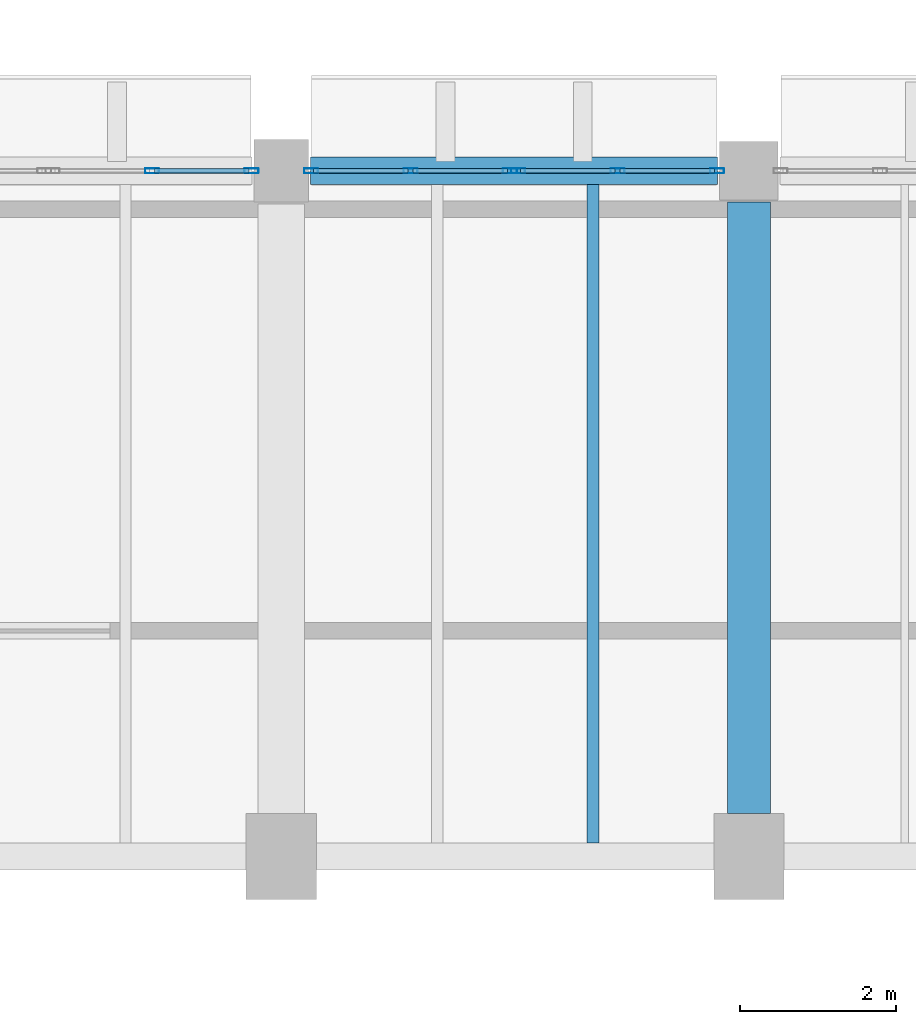
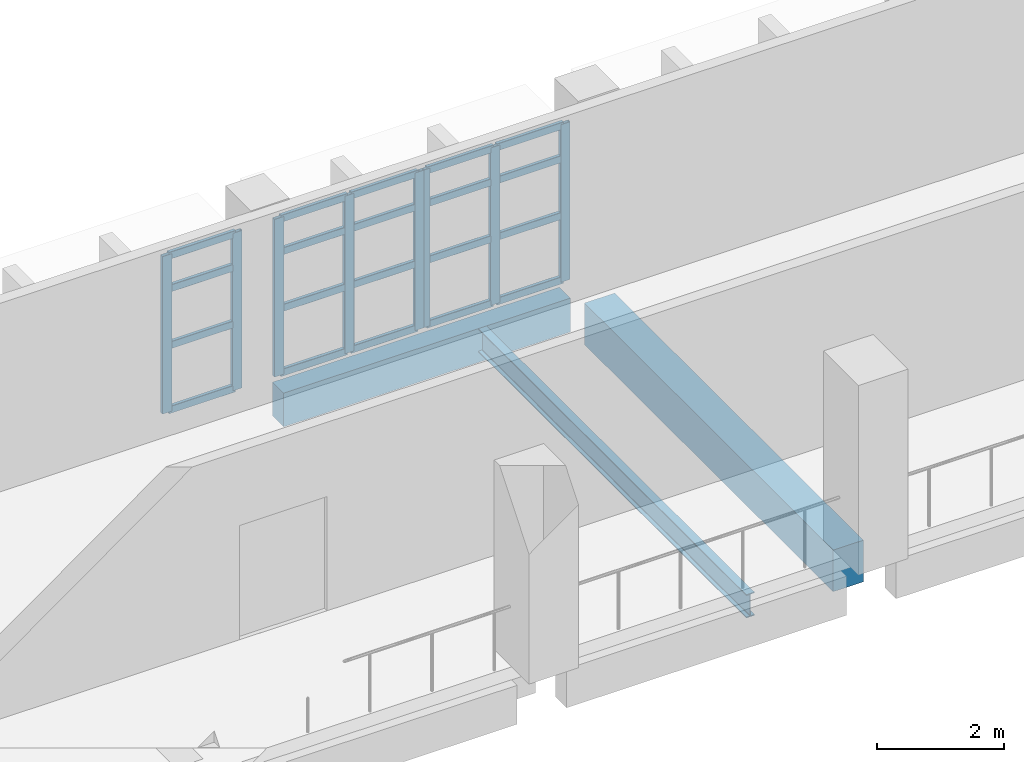
# One storey, part 39 of 80: 28 members, 3 beams, 3 elements without a shape of their own.
"""IFC4 building model written with IfcOpenShell, lengths in metres."""

from ifc_helpers import new_model, si_unit, direction, frame, origin, origin_2d, place, context, subcontext, project, spatial, rectangle, hollow_rectangle, i_section, extrude, material, material_profile, profile_set, type_object, element, aggregate, save


model = new_model("IFC4")

# Units and contexts
model_context = context("Model", 3, precision=1e-05, world=origin(), true_north=direction((0.0, 1.0)))
body_context = subcontext(model_context, "Body", "Model", "MODEL_VIEW")
ifc_project = project(units=[si_unit("LENGTHUNIT", "METRE"), si_unit("AREAUNIT", "SQUARE_METRE"), si_unit("VOLUMEUNIT", "CUBIC_METRE"), si_unit("PLANEANGLEUNIT", "RADIAN"), si_unit("MASSUNIT", "GRAM", prefix="KILO")], contexts=[model_context])

# Site, building, storey
site_placement = place(None, origin())
site = spatial("IfcSite", under=ifc_project, at=site_placement, CompositionType="ELEMENT")
building_placement = place(site_placement, origin())
building = spatial("IfcBuilding", under=site, at=building_placement, Name="Varnakota Cinema and Media Centre", CompositionType="ELEMENT")
storey_placement = place(building_placement, frame((0.0, 0.0, 4.5)))
storey = spatial("IfcBuildingStorey", under=building, at=storey_placement, Name="L01", CompositionType="ELEMENT", Elevation=4.5)

# Beams
ifc_material_1 = material(Name="Concrete M35", Category="concrete")
ifc_material_profile_1 = material_profile(ifc_material_1, rectangle(XDim=0.550048828125, YDim=0.800048828125, at=origin_2d()), Name="RCB 550x800")
ifc_profile_set_1 = profile_set([ifc_material_profile_1], Name="Concrete M35")
beam_type_1 = type_object("IfcBeamType", Name="BM-RC-550x800", PredefinedType="BEAM", material=ifc_profile_set_1)
beam_1_placement = place(storey_placement, frame((111.0, 35.75, -0.64990234375), z_axis=(0.0, 1.0, 0.0), x_axis=(-1.0, 0.0, 0.0)))
element("IfcBeam", 1, at=beam_1_placement, inside=storey, type_object=beam_type_1, Name="L01 girder R/5-6", PredefinedType="BEAM", context=body_context, shape_type="SweptSolid", body=[
    extrude(rectangle(XDim=0.550048828125, YDim=0.800048828125, at=origin_2d()), origin(), (0.0, 0.0, 1.0), 7.85009765625),
])
ifc_material_2 = material(Name="Concrete M40", Category="concrete")
ifc_material_profile_2 = material_profile(ifc_material_2, rectangle(XDim=0.35009765625, YDim=0.64990234375, at=origin_2d()), Name="RCB 350x650")
ifc_profile_set_2 = profile_set([ifc_material_profile_2], Name="Concrete M40")
beam_type_2 = type_object("IfcBeamType", Name="BM-SP-350x650", PredefinedType="SPANDREL", material=ifc_profile_set_2)
beam_2_placement = place(storey_placement, frame((105.375, 44.0, -0.574951171875), z_axis=(1.0, 0.0, 0.0), x_axis=(0.0, 1.0, 0.0)))
element("IfcBeam", 2, at=beam_2_placement, inside=storey, type_object=beam_type_2, Name="L01 girder Q-R/6", PredefinedType="SPANDREL", context=body_context, shape_type="SweptSolid", body=[
    extrude(rectangle(XDim=0.35009765625, YDim=0.64990234375, at=origin_2d()), origin(), (0.0, 0.0, 1.0), 5.22509765625),
])
ifc_material_3 = material(Name="Structural steel Grade 350 (E350)", Category="steel")
ifc_material_profile_3 = material_profile(ifc_material_3, i_section(OverallWidth=0.14990234375, OverallDepth=0.449951171875, WebThickness=0.009521484375, FlangeThickness=0.017333984375, FilletRadius=0.014892578125, at=origin_2d()), Name="ISMB 450")
ifc_profile_set_3 = profile_set([ifc_material_profile_3], Name="Structural steel Grade 350 (E350)")
beam_type_3 = type_object("IfcBeamType", Name="BM-ST-ISMB450", PredefinedType="BEAM", material=ifc_profile_set_3)
beam_3_placement = place(storey_placement, frame((109.0, 35.375, -0.47509765625), z_axis=(0.0, 1.0, 0.0), x_axis=(-1.0, 0.0, 0.0)))
element("IfcBeam", 3, at=beam_3_placement, inside=storey, type_object=beam_type_3, Name="L01 steel joist Q-R/5-6 #2", PredefinedType="BEAM", context=body_context, shape_type="SweptSolid", body=[
    extrude(i_section(OverallWidth=0.14990234375, OverallDepth=0.449951171875, WebThickness=0.009521484375, FlangeThickness=0.017333984375, FilletRadius=0.014892578125, at=origin_2d()), origin(), (0.0, 0.0, 1.0), 8.449951171875),
])

# Curtain wall, members
ifc_material_4 = material(Name="Thermally broken anodised aluminium AW-6063", Category="aluminium")
curtain_wall_type = type_object("IfcCurtainWallType", Name="CW-STD-262x304", PredefinedType="USERDEFINED", material=ifc_material_4)
curtain_wall_1_placement = place(storey_placement, origin())
curtain_wall_1 = element("IfcCurtainWall", 4, at=curtain_wall_1_placement, inside=storey, type_object=curtain_wall_type, Name="L01 curtain wall CW-L01-V1-N-05-2", ObjectType="UNITISED CURTAIN WALL", PredefinedType="USERDEFINED")
ifc_material_5 = material(Name="Thermally broken anodised aluminium AW-6063", Category="aluminium")
ifc_material_profile_4 = material_profile(ifc_material_5, hollow_rectangle(XDim=0.06494140625, YDim=0.179931640625, WallThickness=0.00390625, InnerFilletRadius=0.00390625, OuterFilletRadius=0.008056640625, at=origin_2d()), Name="AL-MULLION 180x65x4")
ifc_profile_set_4 = profile_set([ifc_material_profile_4], Name="Thermally broken anodised aluminium AW-6063")
member_type_1 = type_object("IfcMemberType", Name="CWM-AL-180", PredefinedType="MULLION", material=ifc_profile_set_4)
member_1_placement = place(storey_placement, frame((103.34130859375, 44.0, 0.0), z_axis=(0.0, 0.0, 1.0), x_axis=(0.0, 1.0, 0.0)))
member_1 = element("IfcMember", 5, at=member_1_placement, type_object=member_type_1, Name="CW17 mullion 2", PredefinedType="MULLION", context=body_context, shape_type="SweptSolid", body=[
    extrude(hollow_rectangle(XDim=0.06494140625, YDim=0.179931640625, WallThickness=0.00390625, InnerFilletRadius=0.00390625, OuterFilletRadius=0.008056640625, at=origin_2d()), origin(), (0.0, 0.0, 1.0), 3.034912109375),
])
member_2_placement = place(storey_placement, frame((104.617431640625, 44.0, 0.0), z_axis=(0.0, 0.0, 1.0), x_axis=(0.0, 1.0, 0.0)))
member_2 = element("IfcMember", 6, at=member_2_placement, type_object=member_type_1, Name="CW17 mullion 3", PredefinedType="MULLION", context=body_context, shape_type="SweptSolid", body=[
    extrude(hollow_rectangle(XDim=0.06494140625, YDim=0.179931640625, WallThickness=0.00390625, InnerFilletRadius=0.00390625, OuterFilletRadius=0.008056640625, at=origin_2d()), origin(), (0.0, 0.0, 1.0), 3.034912109375),
])

curtain_wall_2_placement = place(storey_placement, origin())
curtain_wall_2 = element("IfcCurtainWall", 7, at=curtain_wall_2_placement, inside=storey, type_object=curtain_wall_type, Name="L01 curtain wall CW-L01-V1-N-06-1", ObjectType="UNITISED CURTAIN WALL", PredefinedType="USERDEFINED")
member_3_placement = place(storey_placement, frame((105.382568359375, 44.0, 0.0), z_axis=(0.0, 0.0, 1.0), x_axis=(0.0, 1.0, 0.0)))
member_3 = element("IfcMember", 8, at=member_3_placement, type_object=member_type_1, Name="CW17 mullion 1", PredefinedType="MULLION", context=body_context, shape_type="SweptSolid", body=[
    extrude(hollow_rectangle(XDim=0.06494140625, YDim=0.179931640625, WallThickness=0.00390625, InnerFilletRadius=0.00390625, OuterFilletRadius=0.008056640625, at=origin_2d()), origin(), (0.0, 0.0, 1.0), 3.034912109375),
])
member_4_placement = place(storey_placement, frame((106.65869140625, 44.0, 0.0), z_axis=(0.0, 0.0, 1.0), x_axis=(0.0, 1.0, 0.0)))
member_4 = element("IfcMember", 9, at=member_4_placement, type_object=member_type_1, Name="CW17 mullion 2", PredefinedType="MULLION", context=body_context, shape_type="SweptSolid", body=[
    extrude(hollow_rectangle(XDim=0.06494140625, YDim=0.179931640625, WallThickness=0.00390625, InnerFilletRadius=0.00390625, OuterFilletRadius=0.008056640625, at=origin_2d()), origin(), (0.0, 0.0, 1.0), 3.034912109375),
])
member_5_placement = place(storey_placement, frame((107.93505859375, 44.0, 0.0), z_axis=(0.0, 0.0, 1.0), x_axis=(0.0, 1.0, 0.0)))
member_5 = element("IfcMember", 10, at=member_5_placement, type_object=member_type_1, Name="CW17 mullion 3", PredefinedType="MULLION", context=body_context, shape_type="SweptSolid", body=[
    extrude(hollow_rectangle(XDim=0.06494140625, YDim=0.179931640625, WallThickness=0.00390625, InnerFilletRadius=0.00390625, OuterFilletRadius=0.008056640625, at=origin_2d()), origin(), (0.0, 0.0, 1.0), 3.034912109375),
])

curtain_wall_3_placement = place(storey_placement, origin())
curtain_wall_3 = element("IfcCurtainWall", 11, at=curtain_wall_3_placement, inside=storey, type_object=curtain_wall_type, Name="L01 curtain wall CW-L01-V1-N-06-2", ObjectType="UNITISED CURTAIN WALL", PredefinedType="USERDEFINED")
member_6_placement = place(storey_placement, frame((108.0400390625, 44.0, 0.0), z_axis=(0.0, 0.0, 1.0), x_axis=(0.0, 1.0, 0.0)))
member_6 = element("IfcMember", 12, at=member_6_placement, type_object=member_type_1, Name="CW17 mullion 1", PredefinedType="MULLION", context=body_context, shape_type="SweptSolid", body=[
    extrude(hollow_rectangle(XDim=0.06494140625, YDim=0.179931640625, WallThickness=0.00390625, InnerFilletRadius=0.00390625, OuterFilletRadius=0.008056640625, at=origin_2d()), origin(), (0.0, 0.0, 1.0), 3.034912109375),
])
member_7_placement = place(storey_placement, frame((109.316162109375, 44.0, 0.0), z_axis=(0.0, 0.0, 1.0), x_axis=(0.0, 1.0, 0.0)))
member_7 = element("IfcMember", 13, at=member_7_placement, type_object=member_type_1, Name="CW17 mullion 2", PredefinedType="MULLION", context=body_context, shape_type="SweptSolid", body=[
    extrude(hollow_rectangle(XDim=0.06494140625, YDim=0.179931640625, WallThickness=0.00390625, InnerFilletRadius=0.00390625, OuterFilletRadius=0.008056640625, at=origin_2d()), origin(), (0.0, 0.0, 1.0), 3.034912109375),
])
member_8_placement = place(storey_placement, frame((110.592529296875, 44.0, 0.0), z_axis=(0.0, 0.0, 1.0), x_axis=(0.0, 1.0, 0.0)))
member_8 = element("IfcMember", 14, at=member_8_placement, type_object=member_type_1, Name="CW17 mullion 3", PredefinedType="MULLION", context=body_context, shape_type="SweptSolid", body=[
    extrude(hollow_rectangle(XDim=0.06494140625, YDim=0.179931640625, WallThickness=0.00390625, InnerFilletRadius=0.00390625, OuterFilletRadius=0.008056640625, at=origin_2d()), origin(), (0.0, 0.0, 1.0), 3.034912109375),
])

# Member
ifc_material_6 = material(Name="Thermally broken anodised aluminium AW-6063", Category="aluminium")
ifc_material_profile_5 = material_profile(ifc_material_6, hollow_rectangle(XDim=0.06494140625, YDim=0.139892578125, WallThickness=0.00390625, InnerFilletRadius=0.00390625, OuterFilletRadius=0.008056640625, at=origin_2d()), Name="AL-TRANSOM 140x65x4")
ifc_profile_set_5 = profile_set([ifc_material_profile_5], Name="Thermally broken anodised aluminium AW-6063")
member_type_2 = type_object("IfcMemberType", Name="CWT-AL-140", PredefinedType="USERDEFINED", material=ifc_profile_set_5)
member_9_placement = place(storey_placement, frame((103.373779296875, 44.0, 0.032470703125), z_axis=(1.0, 0.0, 0.0), x_axis=(0.0, 1.0, 0.0)))
member_9 = element("IfcMember", 15, at=member_9_placement, type_object=member_type_2, Name="CW17 transom 2.1", ObjectType="TRANSOM", PredefinedType="USERDEFINED", context=body_context, shape_type="SweptSolid", body=[
    extrude(hollow_rectangle(XDim=0.06494140625, YDim=0.139892578125, WallThickness=0.00390625, InnerFilletRadius=0.00390625, OuterFilletRadius=0.008056640625, at=origin_2d()), origin(), (0.0, 0.0, 1.0), 1.211181640625),
])

member_10_placement = place(storey_placement, frame((103.373779296875, 44.0, 1.274658203125), z_axis=(1.0, 0.0, 0.0), x_axis=(0.0, 1.0, 0.0)))
member_10 = element("IfcMember", 16, at=member_10_placement, type_object=member_type_2, Name="CW17 transom 2.2", ObjectType="TRANSOM", PredefinedType="USERDEFINED", context=body_context, shape_type="SweptSolid", body=[
    extrude(hollow_rectangle(XDim=0.06494140625, YDim=0.139892578125, WallThickness=0.00390625, InnerFilletRadius=0.00390625, OuterFilletRadius=0.008056640625, at=origin_2d()), origin(), (0.0, 0.0, 1.0), 1.211181640625),
])

member_11_placement = place(storey_placement, frame((103.373779296875, 44.0, 2.3671875), z_axis=(1.0, 0.0, 0.0), x_axis=(0.0, 1.0, 0.0)))
member_11 = element("IfcMember", 17, at=member_11_placement, type_object=member_type_2, Name="CW17 transom 2.3", ObjectType="TRANSOM", PredefinedType="USERDEFINED", context=body_context, shape_type="SweptSolid", body=[
    extrude(hollow_rectangle(XDim=0.06494140625, YDim=0.139892578125, WallThickness=0.00390625, InnerFilletRadius=0.00390625, OuterFilletRadius=0.008056640625, at=origin_2d()), origin(), (0.0, 0.0, 1.0), 1.211181640625),
])

member_12_placement = place(storey_placement, frame((103.373779296875, 44.0, 3.00244140625), z_axis=(1.0, 0.0, 0.0), x_axis=(0.0, 1.0, 0.0)))
member_12 = element("IfcMember", 18, at=member_12_placement, type_object=member_type_2, Name="CW17 transom 2.4", ObjectType="TRANSOM", PredefinedType="USERDEFINED", context=body_context, shape_type="SweptSolid", body=[
    extrude(hollow_rectangle(XDim=0.06494140625, YDim=0.139892578125, WallThickness=0.00390625, InnerFilletRadius=0.00390625, OuterFilletRadius=0.008056640625, at=origin_2d()), origin(), (0.0, 0.0, 1.0), 1.211181640625),
])

aggregate(curtain_wall_1, [member_1, member_2, member_9, member_10, member_11, member_12])

member_13_placement = place(storey_placement, frame((105.4150390625, 44.0, 0.032470703125), z_axis=(1.0, 0.0, 0.0), x_axis=(0.0, 1.0, 0.0)))
member_13 = element("IfcMember", 19, at=member_13_placement, type_object=member_type_2, Name="CW17 transom 1.1", ObjectType="TRANSOM", PredefinedType="USERDEFINED", context=body_context, shape_type="SweptSolid", body=[
    extrude(hollow_rectangle(XDim=0.06494140625, YDim=0.139892578125, WallThickness=0.00390625, InnerFilletRadius=0.00390625, OuterFilletRadius=0.008056640625, at=origin_2d()), origin(), (0.0, 0.0, 1.0), 1.211181640625),
])

member_14_placement = place(storey_placement, frame((105.4150390625, 44.0, 1.274658203125), z_axis=(1.0, 0.0, 0.0), x_axis=(0.0, 1.0, 0.0)))
member_14 = element("IfcMember", 20, at=member_14_placement, type_object=member_type_2, Name="CW17 transom 1.2", ObjectType="TRANSOM", PredefinedType="USERDEFINED", context=body_context, shape_type="SweptSolid", body=[
    extrude(hollow_rectangle(XDim=0.06494140625, YDim=0.139892578125, WallThickness=0.00390625, InnerFilletRadius=0.00390625, OuterFilletRadius=0.008056640625, at=origin_2d()), origin(), (0.0, 0.0, 1.0), 1.211181640625),
])

member_15_placement = place(storey_placement, frame((105.4150390625, 44.0, 2.3671875), z_axis=(1.0, 0.0, 0.0), x_axis=(0.0, 1.0, 0.0)))
member_15 = element("IfcMember", 21, at=member_15_placement, type_object=member_type_2, Name="CW17 transom 1.3", ObjectType="TRANSOM", PredefinedType="USERDEFINED", context=body_context, shape_type="SweptSolid", body=[
    extrude(hollow_rectangle(XDim=0.06494140625, YDim=0.139892578125, WallThickness=0.00390625, InnerFilletRadius=0.00390625, OuterFilletRadius=0.008056640625, at=origin_2d()), origin(), (0.0, 0.0, 1.0), 1.211181640625),
])

member_16_placement = place(storey_placement, frame((105.4150390625, 44.0, 3.00244140625), z_axis=(1.0, 0.0, 0.0), x_axis=(0.0, 1.0, 0.0)))
member_16 = element("IfcMember", 22, at=member_16_placement, type_object=member_type_2, Name="CW17 transom 1.4", ObjectType="TRANSOM", PredefinedType="USERDEFINED", context=body_context, shape_type="SweptSolid", body=[
    extrude(hollow_rectangle(XDim=0.06494140625, YDim=0.139892578125, WallThickness=0.00390625, InnerFilletRadius=0.00390625, OuterFilletRadius=0.008056640625, at=origin_2d()), origin(), (0.0, 0.0, 1.0), 1.211181640625),
])

member_17_placement = place(storey_placement, frame((106.691162109375, 44.0, 0.032470703125), z_axis=(1.0, 0.0, 0.0), x_axis=(0.0, 1.0, 0.0)))
member_17 = element("IfcMember", 23, at=member_17_placement, type_object=member_type_2, Name="CW17 transom 2.1", ObjectType="TRANSOM", PredefinedType="USERDEFINED", context=body_context, shape_type="SweptSolid", body=[
    extrude(hollow_rectangle(XDim=0.06494140625, YDim=0.139892578125, WallThickness=0.00390625, InnerFilletRadius=0.00390625, OuterFilletRadius=0.008056640625, at=origin_2d()), origin(), (0.0, 0.0, 1.0), 1.21142578125),
])

member_18_placement = place(storey_placement, frame((106.691162109375, 44.0, 1.274658203125), z_axis=(1.0, 0.0, 0.0), x_axis=(0.0, 1.0, 0.0)))
member_18 = element("IfcMember", 24, at=member_18_placement, type_object=member_type_2, Name="CW17 transom 2.2", ObjectType="TRANSOM", PredefinedType="USERDEFINED", context=body_context, shape_type="SweptSolid", body=[
    extrude(hollow_rectangle(XDim=0.06494140625, YDim=0.139892578125, WallThickness=0.00390625, InnerFilletRadius=0.00390625, OuterFilletRadius=0.008056640625, at=origin_2d()), origin(), (0.0, 0.0, 1.0), 1.21142578125),
])

member_19_placement = place(storey_placement, frame((106.691162109375, 44.0, 2.3671875), z_axis=(1.0, 0.0, 0.0), x_axis=(0.0, 1.0, 0.0)))
member_19 = element("IfcMember", 25, at=member_19_placement, type_object=member_type_2, Name="CW17 transom 2.3", ObjectType="TRANSOM", PredefinedType="USERDEFINED", context=body_context, shape_type="SweptSolid", body=[
    extrude(hollow_rectangle(XDim=0.06494140625, YDim=0.139892578125, WallThickness=0.00390625, InnerFilletRadius=0.00390625, OuterFilletRadius=0.008056640625, at=origin_2d()), origin(), (0.0, 0.0, 1.0), 1.21142578125),
])

member_20_placement = place(storey_placement, frame((106.691162109375, 44.0, 3.00244140625), z_axis=(1.0, 0.0, 0.0), x_axis=(0.0, 1.0, 0.0)))
member_20 = element("IfcMember", 26, at=member_20_placement, type_object=member_type_2, Name="CW17 transom 2.4", ObjectType="TRANSOM", PredefinedType="USERDEFINED", context=body_context, shape_type="SweptSolid", body=[
    extrude(hollow_rectangle(XDim=0.06494140625, YDim=0.139892578125, WallThickness=0.00390625, InnerFilletRadius=0.00390625, OuterFilletRadius=0.008056640625, at=origin_2d()), origin(), (0.0, 0.0, 1.0), 1.21142578125),
])

aggregate(curtain_wall_2, [member_3, member_4, member_5, member_13, member_14, member_15, member_16, member_17, member_18, member_19, member_20])

member_21_placement = place(storey_placement, frame((108.072509765625, 44.0, 0.032470703125), z_axis=(1.0, 0.0, 0.0), x_axis=(0.0, 1.0, 0.0)))
member_21 = element("IfcMember", 27, at=member_21_placement, type_object=member_type_2, Name="CW17 transom 1.1", ObjectType="TRANSOM", PredefinedType="USERDEFINED", context=body_context, shape_type="SweptSolid", body=[
    extrude(hollow_rectangle(XDim=0.06494140625, YDim=0.139892578125, WallThickness=0.00390625, InnerFilletRadius=0.00390625, OuterFilletRadius=0.008056640625, at=origin_2d()), origin(), (0.0, 0.0, 1.0), 1.211181640625),
])

member_22_placement = place(storey_placement, frame((108.072509765625, 44.0, 1.274658203125), z_axis=(1.0, 0.0, 0.0), x_axis=(0.0, 1.0, 0.0)))
member_22 = element("IfcMember", 28, at=member_22_placement, type_object=member_type_2, Name="CW17 transom 1.2", ObjectType="TRANSOM", PredefinedType="USERDEFINED", context=body_context, shape_type="SweptSolid", body=[
    extrude(hollow_rectangle(XDim=0.06494140625, YDim=0.139892578125, WallThickness=0.00390625, InnerFilletRadius=0.00390625, OuterFilletRadius=0.008056640625, at=origin_2d()), origin(), (0.0, 0.0, 1.0), 1.211181640625),
])

member_23_placement = place(storey_placement, frame((108.072509765625, 44.0, 2.3671875), z_axis=(1.0, 0.0, 0.0), x_axis=(0.0, 1.0, 0.0)))
member_23 = element("IfcMember", 29, at=member_23_placement, type_object=member_type_2, Name="CW17 transom 1.3", ObjectType="TRANSOM", PredefinedType="USERDEFINED", context=body_context, shape_type="SweptSolid", body=[
    extrude(hollow_rectangle(XDim=0.06494140625, YDim=0.139892578125, WallThickness=0.00390625, InnerFilletRadius=0.00390625, OuterFilletRadius=0.008056640625, at=origin_2d()), origin(), (0.0, 0.0, 1.0), 1.211181640625),
])

member_24_placement = place(storey_placement, frame((108.072509765625, 44.0, 3.00244140625), z_axis=(1.0, 0.0, 0.0), x_axis=(0.0, 1.0, 0.0)))
member_24 = element("IfcMember", 30, at=member_24_placement, type_object=member_type_2, Name="CW17 transom 1.4", ObjectType="TRANSOM", PredefinedType="USERDEFINED", context=body_context, shape_type="SweptSolid", body=[
    extrude(hollow_rectangle(XDim=0.06494140625, YDim=0.139892578125, WallThickness=0.00390625, InnerFilletRadius=0.00390625, OuterFilletRadius=0.008056640625, at=origin_2d()), origin(), (0.0, 0.0, 1.0), 1.211181640625),
])

member_25_placement = place(storey_placement, frame((109.3486328125, 44.0, 0.032470703125), z_axis=(1.0, 0.0, 0.0), x_axis=(0.0, 1.0, 0.0)))
member_25 = element("IfcMember", 31, at=member_25_placement, type_object=member_type_2, Name="CW17 transom 2.1", ObjectType="TRANSOM", PredefinedType="USERDEFINED", context=body_context, shape_type="SweptSolid", body=[
    extrude(hollow_rectangle(XDim=0.06494140625, YDim=0.139892578125, WallThickness=0.00390625, InnerFilletRadius=0.00390625, OuterFilletRadius=0.008056640625, at=origin_2d()), origin(), (0.0, 0.0, 1.0), 1.21142578125),
])

member_26_placement = place(storey_placement, frame((109.3486328125, 44.0, 1.274658203125), z_axis=(1.0, 0.0, 0.0), x_axis=(0.0, 1.0, 0.0)))
member_26 = element("IfcMember", 32, at=member_26_placement, type_object=member_type_2, Name="CW17 transom 2.2", ObjectType="TRANSOM", PredefinedType="USERDEFINED", context=body_context, shape_type="SweptSolid", body=[
    extrude(hollow_rectangle(XDim=0.06494140625, YDim=0.139892578125, WallThickness=0.00390625, InnerFilletRadius=0.00390625, OuterFilletRadius=0.008056640625, at=origin_2d()), origin(), (0.0, 0.0, 1.0), 1.21142578125),
])

member_27_placement = place(storey_placement, frame((109.3486328125, 44.0, 2.3671875), z_axis=(1.0, 0.0, 0.0), x_axis=(0.0, 1.0, 0.0)))
member_27 = element("IfcMember", 33, at=member_27_placement, type_object=member_type_2, Name="CW17 transom 2.3", ObjectType="TRANSOM", PredefinedType="USERDEFINED", context=body_context, shape_type="SweptSolid", body=[
    extrude(hollow_rectangle(XDim=0.06494140625, YDim=0.139892578125, WallThickness=0.00390625, InnerFilletRadius=0.00390625, OuterFilletRadius=0.008056640625, at=origin_2d()), origin(), (0.0, 0.0, 1.0), 1.21142578125),
])

member_28_placement = place(storey_placement, frame((109.3486328125, 44.0, 3.00244140625), z_axis=(1.0, 0.0, 0.0), x_axis=(0.0, 1.0, 0.0)))
member_28 = element("IfcMember", 34, at=member_28_placement, type_object=member_type_2, Name="CW17 transom 2.4", ObjectType="TRANSOM", PredefinedType="USERDEFINED", context=body_context, shape_type="SweptSolid", body=[
    extrude(hollow_rectangle(XDim=0.06494140625, YDim=0.139892578125, WallThickness=0.00390625, InnerFilletRadius=0.00390625, OuterFilletRadius=0.008056640625, at=origin_2d()), origin(), (0.0, 0.0, 1.0), 1.21142578125),
])

aggregate(curtain_wall_3, [member_6, member_7, member_8, member_21, member_22, member_23, member_24, member_25, member_26, member_27, member_28])

save(model, "model.ifc")
